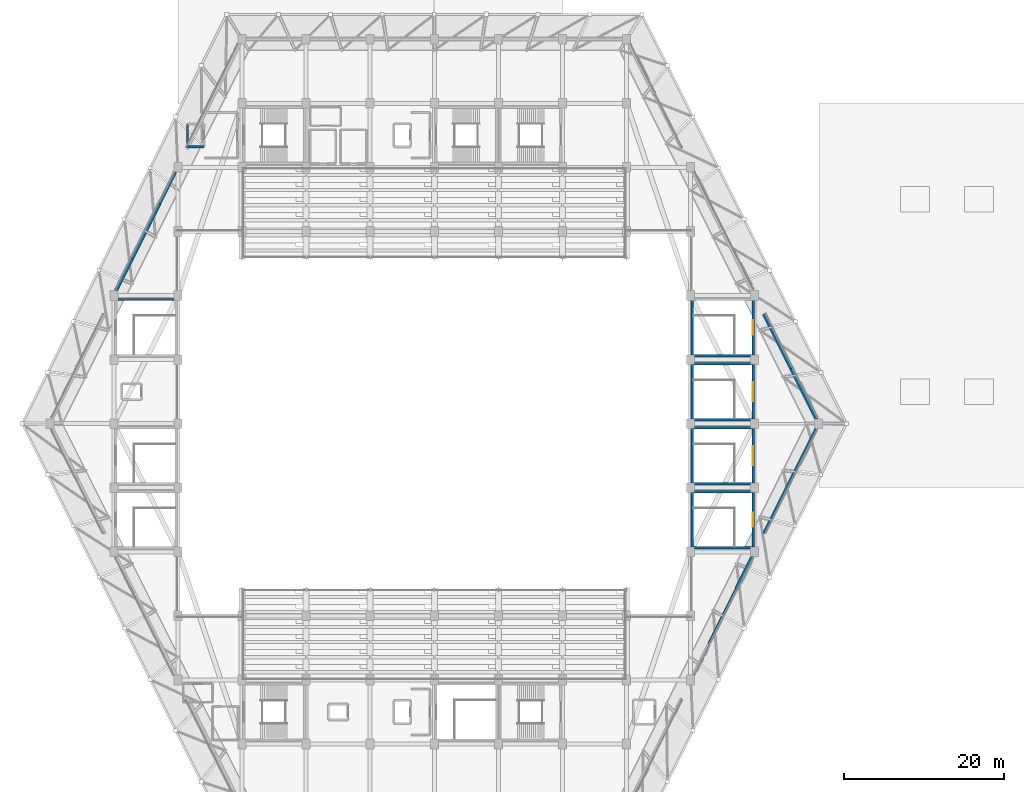
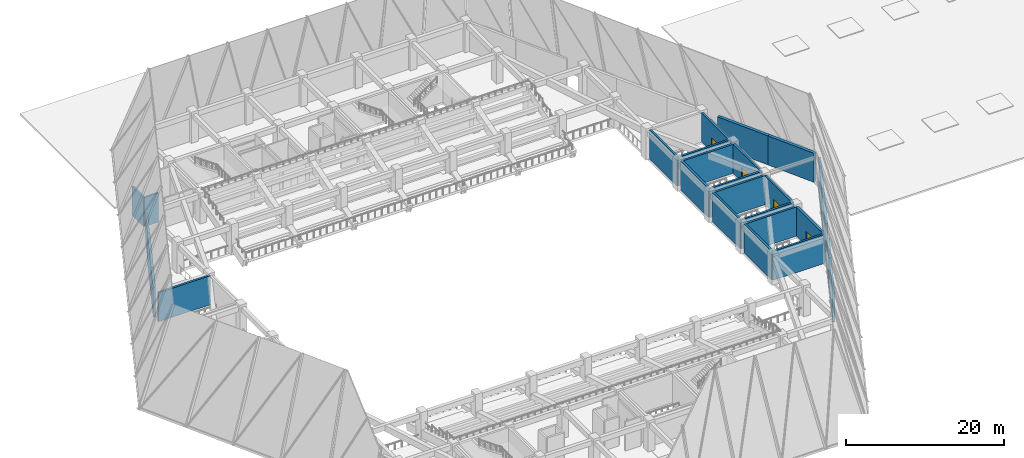
# One storey, part 17 of 24: 27 walls, 4 doors, 4 openings.
"""IFC4 building model written with IfcOpenShell, lengths in metres."""

from ifc_helpers import new_model, si_unit, direction, frame, frame_2d, origin, place, context, subcontext, project, spatial, rectangle, extrude, material, layer, layer_set, type_object, element, fill, save


model = new_model("IFC4")

# Units and contexts
model_context = context("Model", 3, precision=1e-05, world=origin(), true_north=direction((0.0, 1.0)))
body_context = subcontext(model_context, "Body", "Model", "MODEL_VIEW")
ifc_project = project(units=[si_unit("LENGTHUNIT", "METRE"), si_unit("AREAUNIT", "SQUARE_METRE"), si_unit("VOLUMEUNIT", "CUBIC_METRE"), si_unit("PLANEANGLEUNIT", "RADIAN"), si_unit("MASSUNIT", "GRAM", prefix="KILO")], contexts=[model_context])

# Site, building, storey
site_placement = place(None, origin())
site = spatial("IfcSite", under=ifc_project, at=site_placement, CompositionType="ELEMENT")
building_placement = place(site_placement, origin())
building = spatial("IfcBuilding", under=site, at=building_placement, Name="Tazarka Park Arena", CompositionType="ELEMENT")
storey_placement = place(building_placement, frame((0.0, 0.0, 15.0)))
storey = spatial("IfcBuildingStorey", under=building, at=storey_placement, Name="L03", CompositionType="ELEMENT", Elevation=15.0)

# Walls
ifc_material_1 = material(Name="Concrete C40/50", Category="concrete")
ifc_layer_1 = layer(ifc_material_1, 0.300048828125, Name="Concrete C40/50")
ifc_layer_set_1 = layer_set([ifc_layer_1], Name="Concrete C40/50")
wall_type_1 = type_object("IfcWallType", Name="IWAL-CW-S1", PredefinedType="SHEAR", material=ifc_layer_set_1)
wall_1_placement = place(storey_placement, frame((127.800048828125, 56.5, 0.0), z_axis=(0.0, 0.0, 1.0), x_axis=(-1.0, 0.0, 0.0)))
element("IfcWall", 1, at=wall_1_placement, inside=storey, type_object=wall_type_1, Name="SCW-L03-ST12-S", PredefinedType="SHEAR", context=body_context, shape_type="SweptSolid", body=[
    extrude(rectangle(XDim=7.60009765625, YDim=0.300048828125, at=frame_2d((3.800048828125, 0.0))), origin(), (0.0, 0.0, 1.0), 4.5),
])
wall_2_placement = place(storey_placement, frame((120.199951171875, 56.5, 0.0), z_axis=(0.0, 0.0, 1.0), x_axis=(0.0, 1.0, 0.0)))
element("IfcWall", 2, at=wall_2_placement, inside=storey, type_object=wall_type_1, Name="SCW-L03-ST12-W", PredefinedType="SHEAR", context=body_context, shape_type="SweptSolid", body=[
    extrude(rectangle(XDim=7.0, YDim=0.300048828125, at=frame_2d((3.5, 0.0))), origin(), (0.0, 0.0, 1.0), 4.5),
])
wall_3_placement = place(storey_placement, frame((120.199951171875, 63.5, 0.0), z_axis=(0.0, 0.0, 1.0), x_axis=(1.0, 0.0, 0.0)))
element("IfcWall", 3, at=wall_3_placement, inside=storey, type_object=wall_type_1, Name="SCW-L03-ST12-N", PredefinedType="SHEAR", context=body_context, shape_type="SweptSolid", body=[
    extrude(rectangle(XDim=7.60009765625, YDim=0.300048828125, at=frame_2d((3.800048828125, 0.0))), origin(), (0.0, 0.0, 1.0), 4.5),
])

# Wall, opening, door
wall_4_placement = place(storey_placement, frame((127.800048828125, 63.5, 0.0), z_axis=(0.0, 0.0, 1.0), x_axis=(0.0, -1.0, 0.0)))
wall_4 = element("IfcWall", 4, at=wall_4_placement, inside=storey, type_object=wall_type_1, Name="SCW-L03-ST12-E", PredefinedType="SHEAR", context=body_context, shape_type="SweptSolid", body=[
    extrude(rectangle(XDim=7.0, YDim=0.300048828125, at=frame_2d((3.5, 0.0))), origin(), (0.0, 0.0, 1.0), 4.5),
])
opening_1_placement = place(wall_4_placement, frame((2.300048828125, 0.0, 0.0)))
opening_1 = element("IfcOpeningElement", 5, at=opening_1_placement, cuts=wall_4, Name="Opening ID-05", PredefinedType="OPENING", context=body_context, shape_type="SweptSolid", body=[
    extrude(rectangle(XDim=2.39990234375, YDim=2.199951171875, at=frame_2d((1.199951171875, 1.10009765625))), frame((0.0, 0.16015625, 0.0), z_axis=(0.0, -1.0, 0.0), x_axis=(1.0, 0.0, 0.0)), (0.0, 0.0, 1.0), 0.320068359375),
])
ifc_material_2 = material(Name="Fire-rated powder-coated steel and acoustic timber", Category="steel")
door_type_1 = type_object("IfcDoorType", Name="IDR-ID-05", OperationType="NOTDEFINED", PredefinedType="DOOR", material=ifc_material_2)
door_1_placement = place(opening_1_placement, frame((2.39990234375, 0.0, 0.0), z_axis=(0.0, 0.0, 1.0), x_axis=(-1.0, 0.0, 0.0)))
door_1 = element("IfcDoor", 6, at=door_1_placement, inside=storey, type_object=door_type_1, Name="Exit Stair Door ST12-L03", OperationType="DOUBLE_DOOR_SINGLE_SWING", OverallHeight=2.199951171875, OverallWidth=2.39990234375, PredefinedType="DOOR", context=body_context, shape_type="SweptSolid", body=[
    extrude(rectangle(XDim=2.39990234375, YDim=2.199951171875, at=frame_2d((1.199951171875, 1.10009765625))), frame((0.0, 0.02490234375, 0.0), z_axis=(0.0, -1.0, 0.0), x_axis=(1.0, 0.0, 0.0)), (0.0, 0.0, 1.0), 0.050048828125),
])
fill(opening_1, door_1)

# Walls
wall_5_placement = place(storey_placement, frame((127.800048828125, 64.5, 0.0), z_axis=(0.0, 0.0, 1.0), x_axis=(-1.0, 0.0, 0.0)))
element("IfcWall", 7, at=wall_5_placement, inside=storey, type_object=wall_type_1, Name="SCW-L03-ST16-S", PredefinedType="SHEAR", context=body_context, shape_type="SweptSolid", body=[
    extrude(rectangle(XDim=7.60009765625, YDim=0.300048828125, at=frame_2d((3.800048828125, 0.0))), origin(), (0.0, 0.0, 1.0), 4.5),
])
wall_6_placement = place(storey_placement, frame((120.199951171875, 64.5, 0.0), z_axis=(0.0, 0.0, 1.0), x_axis=(0.0, 1.0, 0.0)))
element("IfcWall", 8, at=wall_6_placement, inside=storey, type_object=wall_type_1, Name="SCW-L03-ST16-W", PredefinedType="SHEAR", context=body_context, shape_type="SweptSolid", body=[
    extrude(rectangle(XDim=7.0, YDim=0.300048828125, at=frame_2d((3.5, 0.0))), origin(), (0.0, 0.0, 1.0), 4.5),
])
wall_7_placement = place(storey_placement, frame((120.199951171875, 71.5, 0.0), z_axis=(0.0, 0.0, 1.0), x_axis=(1.0, 0.0, 0.0)))
element("IfcWall", 9, at=wall_7_placement, inside=storey, type_object=wall_type_1, Name="SCW-L03-ST16-N", PredefinedType="SHEAR", context=body_context, shape_type="SweptSolid", body=[
    extrude(rectangle(XDim=7.60009765625, YDim=0.300048828125, at=frame_2d((3.800048828125, 0.0))), origin(), (0.0, 0.0, 1.0), 4.5),
])

# Wall, opening, door
wall_8_placement = place(storey_placement, frame((127.800048828125, 71.5, 0.0), z_axis=(0.0, 0.0, 1.0), x_axis=(0.0, -1.0, 0.0)))
wall_8 = element("IfcWall", 10, at=wall_8_placement, inside=storey, type_object=wall_type_1, Name="SCW-L03-ST16-E", PredefinedType="SHEAR", context=body_context, shape_type="SweptSolid", body=[
    extrude(rectangle(XDim=7.0, YDim=0.300048828125, at=frame_2d((3.5, 0.0))), origin(), (0.0, 0.0, 1.0), 4.5),
])
opening_2_placement = place(wall_8_placement, frame((2.300048828125, 0.0, 0.0)))
opening_2 = element("IfcOpeningElement", 11, at=opening_2_placement, cuts=wall_8, Name="Opening ID-05", PredefinedType="OPENING", context=body_context, shape_type="SweptSolid", body=[
    extrude(rectangle(XDim=2.39990234375, YDim=2.199951171875, at=frame_2d((1.199951171875, 1.10009765625))), frame((0.0, 0.16015625, 0.0), z_axis=(0.0, -1.0, 0.0), x_axis=(1.0, 0.0, 0.0)), (0.0, 0.0, 1.0), 0.320068359375),
])
door_2_placement = place(opening_2_placement, frame((2.39990234375, 0.0, 0.0), z_axis=(0.0, 0.0, 1.0), x_axis=(-1.0, 0.0, 0.0)))
door_2 = element("IfcDoor", 12, at=door_2_placement, inside=storey, type_object=door_type_1, Name="Exit Stair Door ST16-L03", OperationType="DOUBLE_DOOR_SINGLE_SWING", OverallHeight=2.199951171875, OverallWidth=2.39990234375, PredefinedType="DOOR", context=body_context, shape_type="SweptSolid", body=[
    extrude(rectangle(XDim=2.39990234375, YDim=2.199951171875, at=frame_2d((1.199951171875, 1.10009765625))), frame((0.0, 0.02490234375, 0.0), z_axis=(0.0, -1.0, 0.0), x_axis=(1.0, 0.0, 0.0)), (0.0, 0.0, 1.0), 0.050048828125),
])
fill(opening_2, door_2)

# Walls
for number, where, z_axis, x_axis, name in (
    (13, (48.199951171875, 79.5, 0.0), (0.0, 0.0, 1.0), (1.0, 0.0, 0.0), "SCW-L03-ST20-N"),
    (14, (127.800048828125, 48.5, 0.0), (0.0, 0.0, 1.0), (-1.0, 0.0, 0.0), "SCW-L03-ST21-S"),
):
    element("IfcWall", number, at=place(storey_placement, frame(where, z_axis=z_axis, x_axis=x_axis)), inside=storey, type_object=wall_type_1, Name=name, PredefinedType="SHEAR", context=body_context, shape_type="SweptSolid", body=[
        extrude(rectangle(XDim=7.60009765625, YDim=0.300048828125, at=frame_2d((3.800048828125, 0.0))), origin(), (0.0, 0.0, 1.0), 4.5),
    ])
wall_9_placement = place(storey_placement, frame((120.199951171875, 48.5, 0.0), z_axis=(0.0, 0.0, 1.0), x_axis=(0.0, 1.0, 0.0)))
element("IfcWall", 15, at=wall_9_placement, inside=storey, type_object=wall_type_1, Name="SCW-L03-ST21-W", PredefinedType="SHEAR", context=body_context, shape_type="SweptSolid", body=[
    extrude(rectangle(XDim=7.0, YDim=0.300048828125, at=frame_2d((3.5, 0.0))), origin(), (0.0, 0.0, 1.0), 4.5),
])
wall_10_placement = place(storey_placement, frame((120.199951171875, 55.5, 0.0), z_axis=(0.0, 0.0, 1.0), x_axis=(1.0, 0.0, 0.0)))
element("IfcWall", 16, at=wall_10_placement, inside=storey, type_object=wall_type_1, Name="SCW-L03-ST21-N", PredefinedType="SHEAR", context=body_context, shape_type="SweptSolid", body=[
    extrude(rectangle(XDim=7.60009765625, YDim=0.300048828125, at=frame_2d((3.800048828125, 0.0))), origin(), (0.0, 0.0, 1.0), 4.5),
])

# Wall, opening, door
wall_11_placement = place(storey_placement, frame((127.800048828125, 55.5, 0.0), z_axis=(0.0, 0.0, 1.0), x_axis=(0.0, -1.0, 0.0)))
wall_11 = element("IfcWall", 17, at=wall_11_placement, inside=storey, type_object=wall_type_1, Name="SCW-L03-ST21-E", PredefinedType="SHEAR", context=body_context, shape_type="SweptSolid", body=[
    extrude(rectangle(XDim=7.0, YDim=0.300048828125, at=frame_2d((3.5, 0.0))), origin(), (0.0, 0.0, 1.0), 4.5),
])
opening_3_placement = place(wall_11_placement, frame((2.60009765625, 0.0, 0.0)))
opening_3 = element("IfcOpeningElement", 18, at=opening_3_placement, cuts=wall_11, Name="Opening ID-04", PredefinedType="OPENING", context=body_context, shape_type="SweptSolid", body=[
    extrude(rectangle(XDim=1.800048828125, YDim=2.199951171875, at=frame_2d((0.89990234375, 1.10009765625))), frame((0.0, 0.16015625, 0.0), z_axis=(0.0, -1.0, 0.0), x_axis=(1.0, 0.0, 0.0)), (0.0, 0.0, 1.0), 0.320068359375),
])
ifc_material_3 = material(Name="Fire-rated powder-coated steel and acoustic timber", Category="steel")
door_type_2 = type_object("IfcDoorType", Name="IDR-ID-04", OperationType="NOTDEFINED", PredefinedType="DOOR", material=ifc_material_3)
door_3_placement = place(opening_3_placement, frame((1.800048828125, 0.0, 0.0), z_axis=(0.0, 0.0, 1.0), x_axis=(-1.0, 0.0, 0.0)))
door_3 = element("IfcDoor", 19, at=door_3_placement, inside=storey, type_object=door_type_2, Name="Vomitory Stair Door ST21-L03", OperationType="DOUBLE_DOOR_SINGLE_SWING", OverallHeight=2.199951171875, OverallWidth=1.800048828125, PredefinedType="DOOR", context=body_context, shape_type="SweptSolid", body=[
    extrude(rectangle(XDim=1.800048828125, YDim=2.199951171875, at=frame_2d((0.89990234375, 1.10009765625))), frame((0.0, 0.02490234375, 0.0), z_axis=(0.0, -1.0, 0.0), x_axis=(1.0, 0.0, 0.0)), (0.0, 0.0, 1.0), 0.050048828125),
])
fill(opening_3, door_3)

# Walls
wall_12_placement = place(storey_placement, frame((127.800048828125, 72.5, 0.0), z_axis=(0.0, 0.0, 1.0), x_axis=(-1.0, 0.0, 0.0)))
element("IfcWall", 20, at=wall_12_placement, inside=storey, type_object=wall_type_1, Name="SCW-L03-ST22-S", PredefinedType="SHEAR", context=body_context, shape_type="SweptSolid", body=[
    extrude(rectangle(XDim=7.60009765625, YDim=0.300048828125, at=frame_2d((3.800048828125, 0.0))), origin(), (0.0, 0.0, 1.0), 4.5),
])
wall_13_placement = place(storey_placement, frame((120.199951171875, 72.5, 0.0), z_axis=(0.0, 0.0, 1.0), x_axis=(0.0, 1.0, 0.0)))
element("IfcWall", 21, at=wall_13_placement, inside=storey, type_object=wall_type_1, Name="SCW-L03-ST22-W", PredefinedType="SHEAR", context=body_context, shape_type="SweptSolid", body=[
    extrude(rectangle(XDim=7.0, YDim=0.300048828125, at=frame_2d((3.5, 0.0))), origin(), (0.0, 0.0, 1.0), 4.5),
])

# Wall, opening, door
wall_14_placement = place(storey_placement, frame((127.800048828125, 79.5, 0.0), z_axis=(0.0, 0.0, 1.0), x_axis=(0.0, -1.0, 0.0)))
wall_14 = element("IfcWall", 22, at=wall_14_placement, inside=storey, type_object=wall_type_1, Name="SCW-L03-ST22-E", PredefinedType="SHEAR", context=body_context, shape_type="SweptSolid", body=[
    extrude(rectangle(XDim=7.0, YDim=0.300048828125, at=frame_2d((3.5, 0.0))), origin(), (0.0, 0.0, 1.0), 4.5),
])
opening_4_placement = place(wall_14_placement, frame((2.60009765625, 0.0, 0.0)))
opening_4 = element("IfcOpeningElement", 23, at=opening_4_placement, cuts=wall_14, Name="Opening ID-04", PredefinedType="OPENING", context=body_context, shape_type="SweptSolid", body=[
    extrude(rectangle(XDim=1.800048828125, YDim=2.199951171875, at=frame_2d((0.89990234375, 1.10009765625))), frame((0.0, 0.16015625, 0.0), z_axis=(0.0, -1.0, 0.0), x_axis=(1.0, 0.0, 0.0)), (0.0, 0.0, 1.0), 0.320068359375),
])
door_4_placement = place(opening_4_placement, frame((1.800048828125, 0.0, 0.0), z_axis=(0.0, 0.0, 1.0), x_axis=(-1.0, 0.0, 0.0)))
door_4 = element("IfcDoor", 24, at=door_4_placement, inside=storey, type_object=door_type_2, Name="Vomitory Stair Door ST22-L03", OperationType="DOUBLE_DOOR_SINGLE_SWING", OverallHeight=2.199951171875, OverallWidth=1.800048828125, PredefinedType="DOOR", context=body_context, shape_type="SweptSolid", body=[
    extrude(rectangle(XDim=1.800048828125, YDim=2.199951171875, at=frame_2d((0.89990234375, 1.10009765625))), frame((0.0, 0.02490234375, 0.0), z_axis=(0.0, -1.0, 0.0), x_axis=(1.0, 0.0, 0.0)), (0.0, 0.0, 1.0), 0.050048828125),
])
fill(opening_4, door_4)

# Walls
ifc_material_4 = material(Name="Concrete C40/50", Category="concrete")
ifc_layer_2 = layer(ifc_material_4, 0.260009765625, Name="Concrete C40/50")
ifc_layer_set_2 = layer_set([ifc_layer_2], Name="Concrete C40/50")
wall_type_2 = type_object("IfcWallType", Name="IWAL-CW-S3", PredefinedType="SHEAR", material=ifc_layer_set_2)
wall_15_placement = place(storey_placement, frame((57.179931640625, 98.580078125, 0.0), z_axis=(0.0, 0.0, 1.0), x_axis=(0.0, 1.0, 0.0)))
element("IfcWall", 25, at=wall_15_placement, inside=storey, type_object=wall_type_2, Name="LSW-L03-LF-02-W", PredefinedType="SHEAR", context=body_context, shape_type="SweptSolid", body=[
    extrude(rectangle(XDim=2.83984375, YDim=0.260009765625, at=frame_2d((1.419921875, 0.0))), origin(), (0.0, 0.0, 1.0), 4.5),
])
wall_16_placement = place(storey_placement, frame((59.219970703125, 98.580078125, 0.0), z_axis=(0.0, 0.0, 1.0), x_axis=(-1.0, 0.0, 0.0)))
element("IfcWall", 26, at=wall_16_placement, inside=storey, type_object=wall_type_2, Name="LSW-L03-LF-02-S", PredefinedType="SHEAR", context=body_context, shape_type="SweptSolid", body=[
    extrude(rectangle(XDim=2.0400390625, YDim=0.260009765625, at=frame_2d((1.02001953125, 0.0))), origin(), (0.0, 0.0, 1.0), 4.5),
])
ifc_material_5 = material(Name="Concrete C40/50", Category="concrete")
ifc_layer_3 = layer(ifc_material_5, 0.340087890625, Name="Concrete C40/50")
ifc_layer_set_3 = layer_set([ifc_layer_3], Name="Concrete C40/50")
wall_type_3 = type_object("IfcWallType", Name="WAL-EW-03", PredefinedType="SOLIDWALL", material=ifc_layer_set_3)
wall_17_placement = place(storey_placement, frame((135.7099609375, 63.419921875, 0.0), z_axis=(0.0, 0.0, 1.0), x_axis=(-0.447227510427, -0.894420233401, 0.0)))
element("IfcWall", 27, at=wall_17_placement, inside=storey, type_object=wall_type_3, Name="EW-L03-0290", PredefinedType="SOLIDWALL", context=body_context, shape_type="SweptSolid", body=[
    extrude(rectangle(XDim=7.01806640625, YDim=0.340087890625, at=frame_2d((3.509033203125, 0.0))), origin(), (0.0, 0.0, 1.0), 4.5),
])
ifc_material_6 = material(Name="Concrete C40/50", Category="concrete")
ifc_layer_4 = layer(ifc_material_6, 0.360107421875, Name="Concrete C40/50")
ifc_layer_set_4 = layer_set([ifc_layer_4], Name="Concrete C40/50")
wall_type_4 = type_object("IfcWallType", Name="WAL-EW-04", PredefinedType="SOLIDWALL", material=ifc_layer_set_4)
wall_18_placement = place(storey_placement, frame((132.5712890625, 57.142822265625, 0.0), z_axis=(0.0, 0.0, 1.0), x_axis=(-0.447200857411, -0.894433559931, 0.0)))
element("IfcWall", 28, at=wall_18_placement, inside=storey, type_object=wall_type_4, Name="EW-L03-0291", PredefinedType="SOLIDWALL", context=body_context, shape_type="SweptSolid", body=[
    extrude(rectangle(XDim=7.66650390625, YDim=0.360107421875, at=frame_2d((3.833251953125, 0.0))), origin(), (0.0, 0.0, 1.0), 4.5),
])
ifc_material_7 = material(Name="Concrete C50/60", Category="concrete")
ifc_layer_5 = layer(ifc_material_7, 0.3798828125, Name="Concrete C50/60")
ifc_layer_set_5 = layer_set([ifc_layer_5], Name="Concrete C50/60")
wall_type_5 = type_object("IfcWallType", Name="WAL-EW-05", PredefinedType="SOLIDWALL", material=ifc_layer_set_5)
wall_19_placement = place(storey_placement, frame((127.7099609375, 47.419921875, 0.0), z_axis=(0.0, 0.0, 1.0), x_axis=(-0.4472135955, -0.894427191, 0.0)))
element("IfcWall", 29, at=wall_19_placement, inside=storey, type_object=wall_type_5, Name="EW-L03-0292", PredefinedType="SOLIDWALL", context=body_context, shape_type="SweptSolid", body=[
    extrude(rectangle(XDim=4.46240234375, YDim=0.3798828125, at=frame_2d((2.231201171875, 0.0))), origin(), (0.0, 0.0, 1.0), 4.5),
])
ifc_material_8 = material(Name="Precast concrete C40/50", Category="concrete")
ifc_layer_6 = layer(ifc_material_8, 0.280029296875, Name="Precast concrete C40/50")
ifc_layer_set_6 = layer_set([ifc_layer_6], Name="Precast concrete C40/50")
wall_type_6 = type_object("IfcWallType", Name="WAL-EW-06", PredefinedType="SOLIDWALL", material=ifc_layer_set_6)
wall_20_placement = place(storey_placement, frame((125.71435546875, 43.4287109375, 0.0), z_axis=(0.0, 0.0, 1.0), x_axis=(-0.4472135955, -0.894427191, 0.0)))
element("IfcWall", 30, at=wall_20_placement, inside=storey, type_object=wall_type_6, Name="EW-L03-0293", PredefinedType="SOLIDWALL", context=body_context, shape_type="SweptSolid", body=[
    extrude(rectangle(XDim=7.666748046875, YDim=0.280029296875, at=frame_2d((3.83349609375, 0.0))), origin(), (0.0, 0.0, 1.0), 4.5),
])
ifc_material_9 = material(Name="Concrete C40/50", Category="concrete")
ifc_layer_7 = layer(ifc_material_9, 0.330078125, Name="Concrete C40/50")
ifc_layer_set_7 = layer_set([ifc_layer_7], Name="Concrete C40/50")
wall_type_7 = type_object("IfcWallType", Name="WAL-EW-09", PredefinedType="SOLIDWALL", material=ifc_layer_set_7)
wall_21_placement = place(storey_placement, frame((48.2900390625, 80.580078125, 0.0), z_axis=(0.0, 0.0, 1.0), x_axis=(0.4472135955, 0.894427191, 0.0)))
element("IfcWall", 31, at=wall_21_placement, inside=storey, type_object=wall_type_7, Name="EW-L03-0312", PredefinedType="SOLIDWALL", context=body_context, shape_type="SweptSolid", body=[
    extrude(rectangle(XDim=4.46240234375, YDim=0.330078125, at=frame_2d((2.231201171875, 0.0))), origin(), (0.0, 0.0, 1.0), 4.5),
])
ifc_material_10 = material(Name="Concrete C40/50", Category="concrete")
ifc_layer_8 = layer(ifc_material_10, 0.35009765625, Name="Concrete C40/50")
ifc_layer_set_8 = layer_set([ifc_layer_8], Name="Concrete C40/50")
wall_type_8 = type_object("IfcWallType", Name="WAL-EW-10", PredefinedType="SOLIDWALL", material=ifc_layer_set_8)
wall_22_placement = place(storey_placement, frame((50.28564453125, 84.5712890625, 0.0), z_axis=(0.0, 0.0, 1.0), x_axis=(0.4472135955, 0.894427191, 0.0)))
element("IfcWall", 32, at=wall_22_placement, inside=storey, type_object=wall_type_8, Name="EW-L03-0313", PredefinedType="SOLIDWALL", context=body_context, shape_type="SweptSolid", body=[
    extrude(rectangle(XDim=7.666748046875, YDim=0.35009765625, at=frame_2d((3.83349609375, 0.0))), origin(), (0.0, 0.0, 1.0), 4.5),
])
ifc_material_11 = material(Name="Precast concrete C40/50", Category="concrete")
ifc_layer_9 = layer(ifc_material_11, 0.27001953125, Name="Precast concrete C40/50")
ifc_layer_set_9 = layer_set([ifc_layer_9], Name="Precast concrete C40/50")
wall_type_9 = type_object("IfcWallType", Name="WAL-EW-11", PredefinedType="SOLIDWALL", material=ifc_layer_set_9)
wall_23_placement = place(storey_placement, frame((53.71435546875, 91.4287109375, 0.0), z_axis=(0.0, 0.0, 1.0), x_axis=(0.4472135955, 0.894427191, 0.0)))
element("IfcWall", 33, at=wall_23_placement, inside=storey, type_object=wall_type_9, Name="EW-L03-0314", PredefinedType="SOLIDWALL", context=body_context, shape_type="SweptSolid", body=[
    extrude(rectangle(XDim=4.46240234375, YDim=0.27001953125, at=frame_2d((2.231201171875, 0.0))), origin(), (0.0, 0.0, 1.0), 4.5),
])
ifc_material_12 = material(Name="Concrete C50/60", Category="concrete")
ifc_layer_10 = layer(ifc_material_12, 0.419921875, Name="Concrete C50/60")
ifc_layer_set_10 = layer_set([ifc_layer_10], Name="Concrete C50/60")
wall_type_10 = type_object("IfcWallType", Name="WAL-EW-15", PredefinedType="SOLIDWALL", material=ifc_layer_set_10)
wall_24_placement = place(storey_placement, frame((129.142822265625, 77.71435546875, 0.0), z_axis=(0.0, 0.0, 1.0), x_axis=(0.447200857411, -0.894433559931, 0.0)))
element("IfcWall", 34, at=wall_24_placement, inside=storey, type_object=wall_type_10, Name="EW-L03-0302", PredefinedType="SOLIDWALL", context=body_context, shape_type="SweptSolid", body=[
    extrude(rectangle(XDim=7.66650390625, YDim=0.419921875, at=frame_2d((3.833251953125, 0.0))), origin(), (0.0, 0.0, 1.0), 4.5),
])
ifc_material_13 = material(Name="Concrete C50/60", Category="concrete")
ifc_layer_11 = layer(ifc_material_13, 0.429931640625, Name="Concrete C50/60")
ifc_layer_set_11 = layer_set([ifc_layer_11], Name="Concrete C50/60")
wall_type_11 = type_object("IfcWallType", Name="WAL-EW-16", PredefinedType="SOLIDWALL", material=ifc_layer_set_11)
wall_25_placement = place(storey_placement, frame((132.5712890625, 70.857177734375, 0.0), z_axis=(0.0, 0.0, 1.0), x_axis=(0.447227510427, -0.894420233401, 0.0)))
element("IfcWall", 35, at=wall_25_placement, inside=storey, type_object=wall_type_11, Name="EW-L03-0303", PredefinedType="SOLIDWALL", context=body_context, shape_type="SweptSolid", body=[
    extrude(rectangle(XDim=7.01806640625, YDim=0.429931640625, at=frame_2d((3.509033203125, 0.0))), origin(), (0.0, 0.0, 1.0), 4.5),
])

save(model, "model.ifc")
